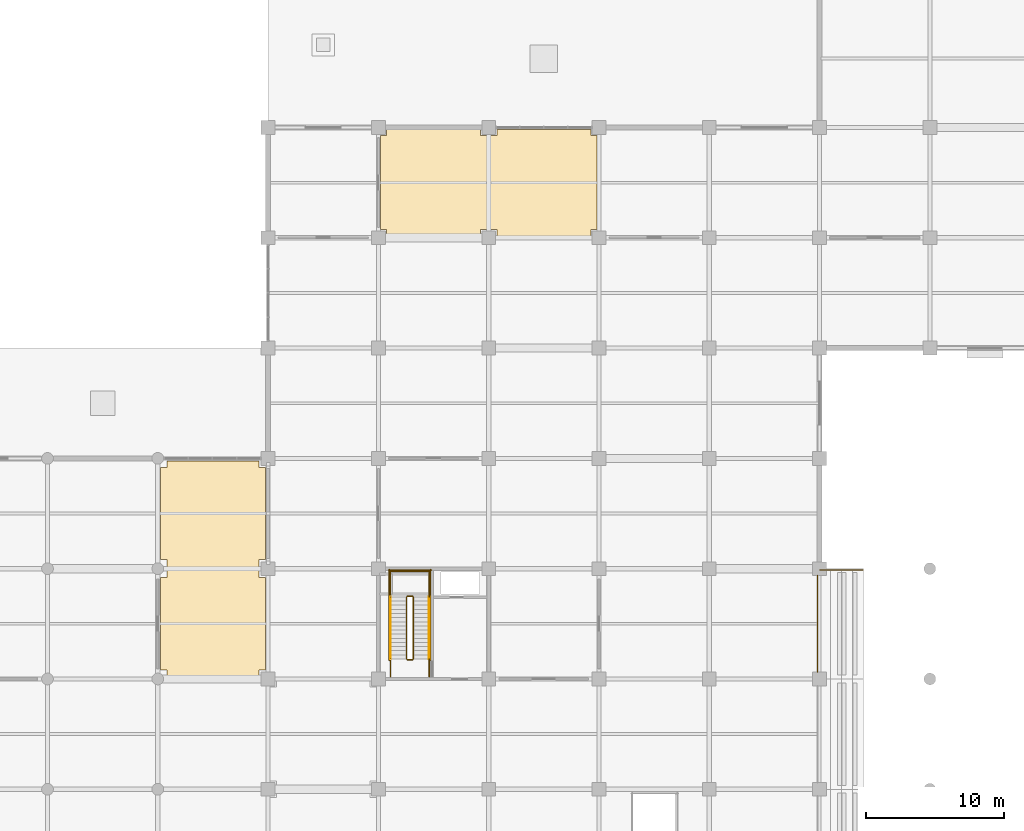
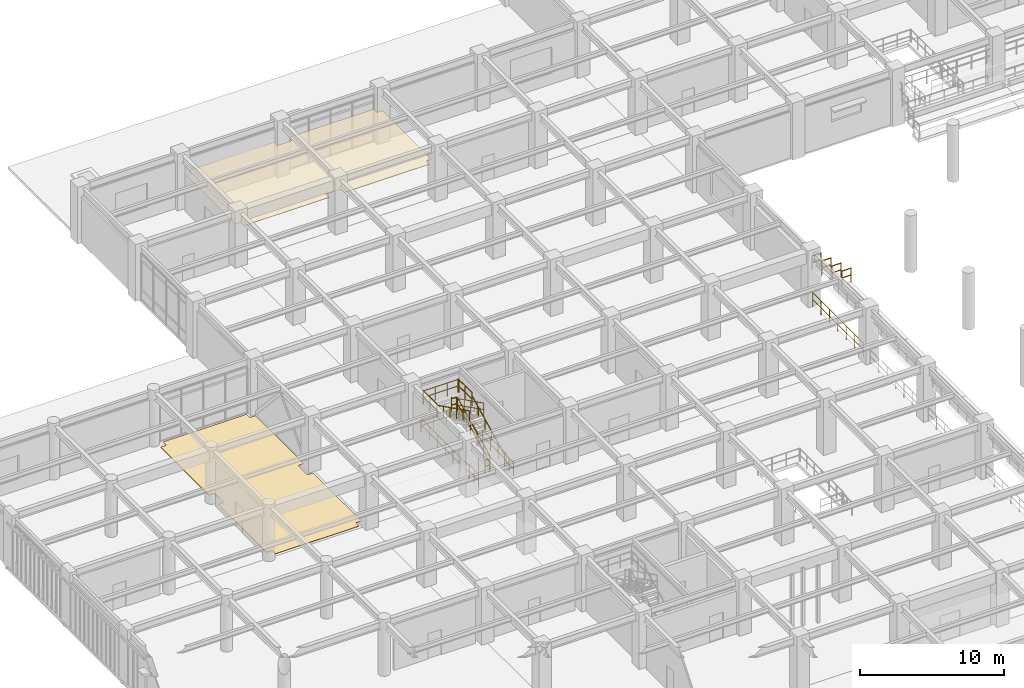
# One storey, part 114 of 117: 19 railings, 2 coverings.
"""IFC4 building model written with IfcOpenShell, lengths in metres."""

from ifc_helpers import new_model, si_unit, direction, frame, origin, origin_2d, place, context, subcontext, project, spatial, polyline, circle, outline, extrude, material, layer, layer_set, type_object, element, save


model = new_model("IFC4")

# Units and contexts
model_context = context("Model", 3, precision=1e-05, world=origin(), true_north=direction((0.0, 1.0)))
body_context = subcontext(model_context, "Body", "Model", "MODEL_VIEW")
ifc_project = project(units=[si_unit("LENGTHUNIT", "METRE"), si_unit("AREAUNIT", "SQUARE_METRE"), si_unit("VOLUMEUNIT", "CUBIC_METRE"), si_unit("PLANEANGLEUNIT", "RADIAN"), si_unit("MASSUNIT", "GRAM", prefix="KILO")], contexts=[model_context])

# Site, building, storey
site_placement = place(None, origin())
site = spatial("IfcSite", under=ifc_project, at=site_placement, CompositionType="ELEMENT")
building_placement = place(site_placement, origin())
building = spatial("IfcBuilding", under=site, at=building_placement, Name="Haebicheon Civic Stadium", CompositionType="ELEMENT")
storey_placement = place(building_placement, frame((0.0, 0.0, 4.800048828125)))
storey = spatial("IfcBuildingStorey", under=building, at=storey_placement, Name="L02", CompositionType="ELEMENT", Elevation=4.800048828125)

# Coverings
ifc_material_1 = material(Name="Perforated mineral-fibre acoustic board", Category="gypsum")
ifc_layer_1 = layer(ifc_material_1, 0.0400390625, Name="Perforated mineral-fibre acoustic board")
ifc_layer_set_1 = layer_set([ifc_layer_1], Name="Perforated mineral-fibre acoustic board")
covering_type_1 = type_object("IfcCoveringType", Name="COV-CLG-AC", PredefinedType="CEILING", material=ifc_layer_set_1)
covering_1_placement = place(storey_placement, frame((0.0, 0.0, 2.81005859375)))
element("IfcCovering", 1, at=covering_1_placement, inside=storey, type_object=covering_type_1, material=ifc_layer_set_1, Name="L02 First Aid Station acoustic ceiling", PredefinedType="CEILING", context=body_context, shape_type="SweptSolid", body=[
    extrude(outline(polyline([(32.14501953125, 167.405029296875), (32.594970703125, 167.405029296875), (32.594970703125, 167.85498046875), (39.405029296875, 167.85498046875), (39.405029296875, 167.405029296875), (40.594970703125, 167.405029296875), (40.594970703125, 167.85498046875), (47.405029296875, 167.85498046875), (47.405029296875, 167.405029296875), (47.85498046875, 167.405029296875), (47.85498046875, 160.594970703125), (47.405029296875, 160.594970703125), (47.405029296875, 160.14501953125), (40.594970703125, 160.14501953125), (40.594970703125, 160.594970703125), (39.405029296875, 160.594970703125), (39.405029296875, 160.14501953125), (32.594970703125, 160.14501953125), (32.594970703125, 160.594970703125), (32.14501953125, 160.594970703125), (32.14501953125, 167.405029296875)])), origin(), (0.0, 0.0, 1.0), 0.039794921875),
])
ifc_material_2 = material(Name="Quartz epoxy resin mortar", Category="concrete")
ifc_layer_2 = layer(ifc_material_2, 0.030029296875, Name="Quartz epoxy resin mortar")
ifc_layer_set_2 = layer_set([ifc_layer_2], Name="Quartz epoxy resin mortar")
covering_type_2 = type_object("IfcCoveringType", Name="COV-FLR-EPX", PredefinedType="FLOORING", material=ifc_layer_set_2)
covering_2_placement = place(storey_placement, origin())
element("IfcCovering", 2, at=covering_2_placement, inside=storey, type_object=covering_type_2, material=ifc_layer_set_2, Name="L02 Club Museum Archive Gallery non-slip floor finish", PredefinedType="FLOORING", context=body_context, shape_type="SweptSolid", body=[
    extrude(outline(polyline([(16.64990234375, 128.199951171875), (16.64990234375, 128.64990234375), (16.199951171875, 128.64990234375), (16.199951171875, 135.35009765625), (16.64990234375, 135.35009765625), (16.64990234375, 136.64990234375), (16.199951171875, 136.64990234375), (16.199951171875, 143.35009765625), (16.64990234375, 143.35009765625), (16.64990234375, 143.800048828125), (23.35009765625, 143.800048828125), (23.35009765625, 143.35009765625), (23.800048828125, 143.35009765625), (23.800048828125, 136.64990234375), (23.35009765625, 136.64990234375), (23.35009765625, 135.35009765625), (23.800048828125, 135.35009765625), (23.800048828125, 128.64990234375), (23.35009765625, 128.64990234375), (23.35009765625, 128.199951171875), (16.64990234375, 128.199951171875)])), origin(), (0.0, 0.0, 1.0), 0.030029296875),
])

# Railings
ifc_material_3 = material(Name="Stainless steel 316 and laminated glass", Category="steel")
railing_type_1 = type_object("IfcRailingType", Name="RL-BAL-1200", PredefinedType="BALUSTRADE", material=ifc_material_3)
railing_1_placement = place(storey_placement, frame((63.860107421875, 128.5, 0.0)))
element("IfcRailing", 3, at=railing_1_placement, inside=storey, type_object=railing_type_1, material=ifc_material_3, Name="L02 concourse bowl-edge balustrade 011", PredefinedType="BALUSTRADE", context=body_context, shape_type="SweptSolid", body=[
    extrude(circle(Radius=0.02392578125, at=origin_2d()), frame((0.0, 0.0, 1.17578125), z_axis=(0.0, 1.0, 0.0), x_axis=(-1.0, 0.0, 0.0)), (0.0, 0.0, 1.0), 7.0),
    extrude(circle(Radius=0.02392578125, at=origin_2d()), frame((0.0, 0.0, 0.60009765625), z_axis=(0.0, 1.0, 0.0), x_axis=(-1.0, 0.0, 0.0)), (0.0, 0.0, 1.0), 7.0),
    extrude(circle(Radius=0.02099609375, at=origin_2d()), origin(), (0.0, 0.0, 1.0), 1.15185546875),
    extrude(circle(Radius=0.02099609375, at=origin_2d()), frame((0.0, 1.166748046875, 0.0)), (0.0, 0.0, 1.0), 1.15185546875),
    extrude(circle(Radius=0.02099609375, at=origin_2d()), frame((0.0, 2.333251953125, 0.0)), (0.0, 0.0, 1.0), 1.15185546875),
    extrude(circle(Radius=0.02099609375, at=origin_2d()), frame((0.0, 3.5, 0.0)), (0.0, 0.0, 1.0), 1.15185546875),
    extrude(circle(Radius=0.02099609375, at=origin_2d()), frame((0.0, 4.666748046875, 0.0)), (0.0, 0.0, 1.0), 1.15185546875),
    extrude(circle(Radius=0.02099609375, at=origin_2d()), frame((0.0, 5.833251953125, 0.0)), (0.0, 0.0, 1.0), 1.15185546875),
    extrude(circle(Radius=0.02099609375, at=origin_2d()), frame((0.0, 7.0, 0.0)), (0.0, 0.0, 1.0), 1.15185546875),
])
railing_2_placement = place(storey_placement, frame((66.43994140625, 135.89990234375, 0.6669921875)))
element("IfcRailing", 4, at=railing_2_placement, inside=storey, type_object=railing_type_1, material=ifc_material_3, Name="TIER-W-L end-aisle side guard N.7", PredefinedType="BALUSTRADE", context=body_context, shape_type="SweptSolid", body=[
    extrude(circle(Radius=0.02392578125, at=origin_2d()), frame((0.0, 0.0, 1.17578125), z_axis=(1.0, 0.0, 0.0), x_axis=(0.0, 1.0, 0.0)), (0.0, 0.0, 1.0), 0.719970703125),
    extrude(circle(Radius=0.02392578125, at=origin_2d()), frame((0.0, 0.0, 0.60009765625), z_axis=(1.0, 0.0, 0.0), x_axis=(0.0, 1.0, 0.0)), (0.0, 0.0, 1.0), 0.719970703125),
    extrude(circle(Radius=0.02099609375, at=origin_2d()), origin(), (0.0, 0.0, 1.0), 1.15185546875),
    extrude(circle(Radius=0.02099609375, at=origin_2d()), frame((0.719970703125, 0.0, 0.0)), (0.0, 0.0, 1.0), 1.15185546875),
])
railing_3_placement = place(storey_placement, frame((65.639892578125, 135.89990234375, 1.3779296875)))
element("IfcRailing", 5, at=railing_3_placement, inside=storey, type_object=railing_type_1, material=ifc_material_3, Name="TIER-W-L end-aisle side guard N.8", PredefinedType="BALUSTRADE", context=body_context, shape_type="SweptSolid", body=[
    extrude(circle(Radius=0.02392578125, at=origin_2d()), frame((0.0, 0.0, 1.17578125), z_axis=(1.0, 0.0, 0.0), x_axis=(0.0, 1.0, 0.0)), (0.0, 0.0, 1.0), 0.72021484375),
    extrude(circle(Radius=0.02392578125, at=origin_2d()), frame((0.0, 0.0, 0.60009765625), z_axis=(1.0, 0.0, 0.0), x_axis=(0.0, 1.0, 0.0)), (0.0, 0.0, 1.0), 0.72021484375),
    extrude(circle(Radius=0.02099609375, at=origin_2d()), origin(), (0.0, 0.0, 1.0), 1.15185546875),
    extrude(circle(Radius=0.02099609375, at=origin_2d()), frame((0.72021484375, 0.0, 0.0)), (0.0, 0.0, 1.0), 1.15185546875),
])
for number, where, name in (
    (6, (64.840087890625, 135.89990234375, 2.0888671875), "TIER-W-L end-aisle side guard N.9"),
    (7, (64.0400390625, 135.89990234375, 2.800048828125), "TIER-W-L end-aisle side guard N.10"),
):
    element("IfcRailing", number, at=place(storey_placement, frame(where)), inside=storey, type_object=railing_type_1, material=ifc_material_3, Name=name, PredefinedType="BALUSTRADE", context=body_context, shape_type="SweptSolid", body=[
        extrude(circle(Radius=0.02392578125, at=origin_2d()), frame((0.0, 0.0, 1.17578125), z_axis=(1.0, 0.0, 0.0), x_axis=(0.0, 1.0, 0.0)), (0.0, 0.0, 1.0), 0.719970703125),
        extrude(circle(Radius=0.02392578125, at=origin_2d()), frame((0.0, 0.0, 0.60009765625), z_axis=(1.0, 0.0, 0.0), x_axis=(0.0, 1.0, 0.0)), (0.0, 0.0, 1.0), 0.719970703125),
        extrude(circle(Radius=0.02099609375, at=origin_2d()), origin(), (0.0, 0.0, 1.0), 1.15185546875),
        extrude(circle(Radius=0.02099609375, at=origin_2d()), frame((0.719970703125, 0.0, 0.0)), (0.0, 0.0, 1.0), 1.15185546875),
    ])
ifc_material_4 = material(Name="Galvanised painted steel SM355", Category="steel")
railing_type_2 = type_object("IfcRailingType", Name="RL-GRD-1150", PredefinedType="GUARDRAIL", material=ifc_material_4)
railing_4_placement = place(storey_placement, frame((34.530029296875, 129.449951171875, 0.14990234375)))
element("IfcRailing", 8, at=railing_4_placement, inside=storey, type_object=railing_type_2, material=ifc_material_4, Name="L02 ST-05 stair guard 1", PredefinedType="GUARDRAIL", context=body_context, shape_type="SweptSolid", body=[
    extrude(circle(Radius=0.02392578125, at=origin_2d()), frame((0.0, 0.0, 1.1259765625), z_axis=(0.0, 0.894427191, 0.4472135955), x_axis=(-1.0, 0.0, 0.0)), (0.0, 0.0, 1.0), 5.03125),
    extrude(circle(Radius=0.02392578125, at=origin_2d()), frame((0.0, 0.0, 0.574951171875), z_axis=(0.0, 0.894427191, 0.4472135955), x_axis=(-1.0, 0.0, 0.0)), (0.0, 0.0, 1.0), 5.03125),
    extrude(circle(Radius=0.02099609375, at=origin_2d()), origin(), (0.0, 0.0, 1.0), 1.101806640625),
    extrude(circle(Radius=0.02099609375, at=origin_2d()), frame((0.0, 0.89990234375, 0.449951171875)), (0.0, 0.0, 1.0), 1.101806640625),
    extrude(circle(Radius=0.02099609375, at=origin_2d()), frame((0.0, 1.800048828125, 0.89990234375)), (0.0, 0.0, 1.0), 1.101806640625),
    extrude(circle(Radius=0.02099609375, at=origin_2d()), frame((0.0, 2.699951171875, 1.35009765625)), (0.0, 0.0, 1.0), 1.101806640625),
    extrude(circle(Radius=0.02099609375, at=origin_2d()), frame((0.0, 3.60009765625, 1.800048828125)), (0.0, 0.0, 1.0), 1.101806640625),
    extrude(circle(Radius=0.02099609375, at=origin_2d()), frame((0.0, 4.5, 2.25)), (0.0, 0.0, 1.0), 1.101806640625),
])
railing_5_placement = place(storey_placement, frame((34.47998046875, 134.0, 2.39990234375)))
element("IfcRailing", 9, at=railing_5_placement, inside=storey, type_object=railing_type_2, material=ifc_material_4, Name="L02 ST-05 stair guard 2", PredefinedType="GUARDRAIL", context=body_context, shape_type="SweptSolid", body=[
    extrude(circle(Radius=0.02392578125, at=origin_2d()), frame((0.0, 0.0, 1.1259765625), z_axis=(-1.0, 0.0, 0.0), x_axis=(0.0, -1.0, 0.0)), (0.0, 0.0, 1.0), 0.3798828125),
    extrude(circle(Radius=0.02392578125, at=origin_2d()), frame((0.0, 0.0, 0.574951171875), z_axis=(-1.0, 0.0, 0.0), x_axis=(0.0, -1.0, 0.0)), (0.0, 0.0, 1.0), 0.3798828125),
    extrude(circle(Radius=0.02099609375, at=origin_2d()), origin(), (0.0, 0.0, 1.0), 1.101806640625),
    extrude(circle(Radius=0.02099609375, at=origin_2d()), frame((-0.3798828125, 0.0, 0.0)), (0.0, 0.0, 1.0), 1.101806640625),
])
for number, where, name in (
    (10, (35.68994140625, 133.949951171875, 2.39990234375), "L02 ST-05 stair guard 3"),
    (11, (32.889892578125, 133.949951171875, 2.39990234375), "L02 ST-05 stair guard 4"),
):
    element("IfcRailing", number, at=place(storey_placement, frame(where)), inside=storey, type_object=railing_type_2, material=ifc_material_4, Name=name, PredefinedType="GUARDRAIL", context=body_context, shape_type="SweptSolid", body=[
        extrude(circle(Radius=0.02392578125, at=origin_2d()), frame((0.0, 0.0, 1.1259765625), z_axis=(0.0, 1.0, 0.0), x_axis=(-1.0, 0.0, 0.0)), (0.0, 0.0, 1.0), 1.89013671875),
        extrude(circle(Radius=0.02392578125, at=origin_2d()), frame((0.0, 0.0, 0.574951171875), z_axis=(0.0, 1.0, 0.0), x_axis=(-1.0, 0.0, 0.0)), (0.0, 0.0, 1.0), 1.89013671875),
        extrude(circle(Radius=0.02099609375, at=origin_2d()), origin(), (0.0, 0.0, 1.0), 1.101806640625),
        extrude(circle(Radius=0.02099609375, at=origin_2d()), frame((0.0, 0.945068359375, 0.0)), (0.0, 0.0, 1.0), 1.101806640625),
        extrude(circle(Radius=0.02099609375, at=origin_2d()), frame((0.0, 1.89013671875, 0.0)), (0.0, 0.0, 1.0), 1.101806640625),
    ])
railing_6_placement = place(storey_placement, frame((35.739990234375, 135.7900390625, 2.39990234375)))
element("IfcRailing", 12, at=railing_6_placement, inside=storey, type_object=railing_type_2, material=ifc_material_4, Name="L02 ST-05 stair guard 5", PredefinedType="GUARDRAIL", context=body_context, shape_type="SweptSolid", body=[
    extrude(circle(Radius=0.02392578125, at=origin_2d()), frame((0.0, 0.0, 1.1259765625), z_axis=(-1.0, 0.0, 0.0), x_axis=(0.0, -1.0, 0.0)), (0.0, 0.0, 1.0), 2.89990234375),
    extrude(circle(Radius=0.02392578125, at=origin_2d()), frame((0.0, 0.0, 0.574951171875), z_axis=(-1.0, 0.0, 0.0), x_axis=(0.0, -1.0, 0.0)), (0.0, 0.0, 1.0), 2.89990234375),
    extrude(circle(Radius=0.02099609375, at=origin_2d()), origin(), (0.0, 0.0, 1.0), 1.101806640625),
    extrude(circle(Radius=0.02099609375, at=origin_2d()), frame((-0.966552734375, 0.0, 0.0)), (0.0, 0.0, 1.0), 1.101806640625),
    extrude(circle(Radius=0.02099609375, at=origin_2d()), frame((-1.933349609375, 0.0, 0.0)), (0.0, 0.0, 1.0), 1.101806640625),
    extrude(circle(Radius=0.02099609375, at=origin_2d()), frame((-2.89990234375, 0.0, 0.0)), (0.0, 0.0, 1.0), 1.101806640625),
])
railing_7_placement = place(storey_placement, frame((34.050048828125, 133.949951171875, 2.550048828125)))
element("IfcRailing", 13, at=railing_7_placement, inside=storey, type_object=railing_type_2, material=ifc_material_4, Name="L02 ST-05 stair guard 6", PredefinedType="GUARDRAIL", context=body_context, shape_type="SweptSolid", body=[
    extrude(circle(Radius=0.02392578125, at=origin_2d()), frame((0.0, 0.0, 1.1259765625), z_axis=(0.0, -0.894427191, 0.4472135955), x_axis=(1.0, 0.0, 0.0)), (0.0, 0.0, 1.0), 5.03125),
    extrude(circle(Radius=0.02392578125, at=origin_2d()), frame((0.0, 0.0, 0.574951171875), z_axis=(0.0, -0.894427191, 0.4472135955), x_axis=(1.0, 0.0, 0.0)), (0.0, 0.0, 1.0), 5.03125),
    extrude(circle(Radius=0.02099609375, at=origin_2d()), origin(), (0.0, 0.0, 1.0), 1.101806640625),
    extrude(circle(Radius=0.02099609375, at=origin_2d()), frame((0.0, -0.89990234375, 0.449951171875)), (0.0, 0.0, 1.0), 1.101806640625),
    extrude(circle(Radius=0.02099609375, at=origin_2d()), frame((0.0, -1.800048828125, 0.89990234375)), (0.0, 0.0, 1.0), 1.101806640625),
    extrude(circle(Radius=0.02099609375, at=origin_2d()), frame((0.0, -2.699951171875, 1.35009765625)), (0.0, 0.0, 1.0), 1.101806640625),
    extrude(circle(Radius=0.02099609375, at=origin_2d()), frame((0.0, -3.60009765625, 1.800048828125)), (0.0, 0.0, 1.0), 1.101806640625),
    extrude(circle(Radius=0.02099609375, at=origin_2d()), frame((0.0, -4.5, 2.25)), (0.0, 0.0, 1.0), 1.101806640625),
])
railing_8_placement = place(storey_placement, frame((34.47998046875, 129.39990234375, 0.0)))
element("IfcRailing", 14, at=railing_8_placement, inside=storey, type_object=railing_type_2, material=ifc_material_4, Name="L02 ST-05 stair guard 7", PredefinedType="GUARDRAIL", context=body_context, shape_type="SweptSolid", body=[
    extrude(circle(Radius=0.02392578125, at=origin_2d()), frame((0.0, 0.0, 1.1259765625), z_axis=(-1.0, 0.0, 0.0), x_axis=(0.0, -1.0, 0.0)), (0.0, 0.0, 1.0), 0.3798828125),
    extrude(circle(Radius=0.02392578125, at=origin_2d()), frame((0.0, 0.0, 0.574951171875), z_axis=(-1.0, 0.0, 0.0), x_axis=(0.0, -1.0, 0.0)), (0.0, 0.0, 1.0), 0.3798828125),
    extrude(circle(Radius=0.02099609375, at=origin_2d()), origin(), (0.0, 0.0, 1.0), 1.101806640625),
    extrude(circle(Radius=0.02099609375, at=origin_2d()), frame((-0.3798828125, 0.0, 0.0)), (0.0, 0.0, 1.0), 1.101806640625),
])
for number, where, name in (
    (15, (35.68994140625, 128.159912109375, 0.0), "L02 ST-05 stair guard 8"),
    (16, (32.889892578125, 128.159912109375, 0.0), "L02 ST-05 stair guard 9"),
):
    element("IfcRailing", number, at=place(storey_placement, frame(where)), inside=storey, type_object=railing_type_2, material=ifc_material_4, Name=name, PredefinedType="GUARDRAIL", context=body_context, shape_type="SweptSolid", body=[
        extrude(circle(Radius=0.02392578125, at=origin_2d()), frame((0.0, 0.0, 1.1259765625), z_axis=(0.0, 1.0, 0.0), x_axis=(-1.0, 0.0, 0.0)), (0.0, 0.0, 1.0), 1.2900390625),
        extrude(circle(Radius=0.02392578125, at=origin_2d()), frame((0.0, 0.0, 0.574951171875), z_axis=(0.0, 1.0, 0.0), x_axis=(-1.0, 0.0, 0.0)), (0.0, 0.0, 1.0), 1.2900390625),
        extrude(circle(Radius=0.02099609375, at=origin_2d()), origin(), (0.0, 0.0, 1.0), 1.101806640625),
        extrude(circle(Radius=0.02099609375, at=origin_2d()), frame((0.0, 0.64501953125, 0.0)), (0.0, 0.0, 1.0), 1.101806640625),
        extrude(circle(Radius=0.02099609375, at=origin_2d()), frame((0.0, 1.2900390625, 0.0)), (0.0, 0.0, 1.0), 1.101806640625),
    ])
for number, where, name in (
    (17, (35.7900390625, 129.35009765625, 0.0), "L02 ST-05 stair guard 10"),
    (18, (32.7900390625, 129.35009765625, 0.0), "L02 ST-05 stair guard 11"),
):
    element("IfcRailing", number, at=place(storey_placement, frame(where)), inside=storey, type_object=railing_type_2, material=ifc_material_4, Name=name, PredefinedType="GUARDRAIL", context=body_context, shape_type="SweptSolid", body=[
        extrude(circle(Radius=0.02392578125, at=origin_2d()), frame((0.0, 0.0, 1.1259765625), z_axis=(0.0, 1.0, 0.0), x_axis=(-1.0, 0.0, 0.0)), (0.0, 0.0, 1.0), 6.58984375),
        extrude(circle(Radius=0.02392578125, at=origin_2d()), frame((0.0, 0.0, 0.574951171875), z_axis=(0.0, 1.0, 0.0), x_axis=(-1.0, 0.0, 0.0)), (0.0, 0.0, 1.0), 6.58984375),
        extrude(circle(Radius=0.02099609375, at=origin_2d()), origin(), (0.0, 0.0, 1.0), 1.101806640625),
        extrude(circle(Radius=0.02099609375, at=origin_2d()), frame((0.0, 1.098388671875, 0.0)), (0.0, 0.0, 1.0), 1.101806640625),
        extrude(circle(Radius=0.02099609375, at=origin_2d()), frame((0.0, 2.196533203125, 0.0)), (0.0, 0.0, 1.0), 1.101806640625),
        extrude(circle(Radius=0.02099609375, at=origin_2d()), frame((0.0, 3.294921875, 0.0)), (0.0, 0.0, 1.0), 1.101806640625),
        extrude(circle(Radius=0.02099609375, at=origin_2d()), frame((0.0, 4.393310546875, 0.0)), (0.0, 0.0, 1.0), 1.101806640625),
        extrude(circle(Radius=0.02099609375, at=origin_2d()), frame((0.0, 5.491455078125, 0.0)), (0.0, 0.0, 1.0), 1.101806640625),
        extrude(circle(Radius=0.02099609375, at=origin_2d()), frame((0.0, 6.58984375, 0.0)), (0.0, 0.0, 1.0), 1.101806640625),
    ])
railing_9_placement = place(storey_placement, frame((35.840087890625, 135.889892578125, 0.0)))
element("IfcRailing", 19, at=railing_9_placement, inside=storey, type_object=railing_type_2, material=ifc_material_4, Name="L02 ST-05 stair guard 12", PredefinedType="GUARDRAIL", context=body_context, shape_type="SweptSolid", body=[
    extrude(circle(Radius=0.02392578125, at=origin_2d()), frame((0.0, 0.0, 1.1259765625), z_axis=(-1.0, 0.0, 0.0), x_axis=(0.0, -1.0, 0.0)), (0.0, 0.0, 1.0), 3.10009765625),
    extrude(circle(Radius=0.02392578125, at=origin_2d()), frame((0.0, 0.0, 0.574951171875), z_axis=(-1.0, 0.0, 0.0), x_axis=(0.0, -1.0, 0.0)), (0.0, 0.0, 1.0), 3.10009765625),
    extrude(circle(Radius=0.02099609375, at=origin_2d()), origin(), (0.0, 0.0, 1.0), 1.101806640625),
    extrude(circle(Radius=0.02099609375, at=origin_2d()), frame((-1.033447265625, 0.0, 0.0)), (0.0, 0.0, 1.0), 1.101806640625),
    extrude(circle(Radius=0.02099609375, at=origin_2d()), frame((-2.066650390625, 0.0, 0.0)), (0.0, 0.0, 1.0), 1.101806640625),
    extrude(circle(Radius=0.02099609375, at=origin_2d()), frame((-3.10009765625, 0.0, 0.0)), (0.0, 0.0, 1.0), 1.101806640625),
])
ifc_material_5 = material(Name="Stainless steel 316", Category="steel")
railing_type_3 = type_object("IfcRailingType", Name="RL-HND-900", PredefinedType="HANDRAIL", material=ifc_material_5)
railing_10_placement = place(storey_placement, frame((35.68994140625, 129.449951171875, 0.14990234375)))
element("IfcRailing", 20, at=railing_10_placement, inside=storey, type_object=railing_type_3, material=ifc_material_5, Name="L02 ST-05 stair handrail 1", PredefinedType="HANDRAIL", context=body_context, shape_type="SweptSolid", body=[
    extrude(circle(Radius=0.02392578125, at=origin_2d()), frame((0.0, 0.0, 0.8759765625), z_axis=(0.0, 0.894427191, 0.4472135955), x_axis=(-1.0, 0.0, 0.0)), (0.0, 0.0, 1.0), 5.03125),
    extrude(circle(Radius=0.02099609375, at=origin_2d()), origin(), (0.0, 0.0, 1.0), 0.851806640625),
    extrude(circle(Radius=0.02099609375, at=origin_2d()), frame((0.0, 0.89990234375, 0.449951171875)), (0.0, 0.0, 1.0), 0.851806640625),
    extrude(circle(Radius=0.02099609375, at=origin_2d()), frame((0.0, 1.800048828125, 0.89990234375)), (0.0, 0.0, 1.0), 0.851806640625),
    extrude(circle(Radius=0.02099609375, at=origin_2d()), frame((0.0, 2.699951171875, 1.35009765625)), (0.0, 0.0, 1.0), 0.851806640625),
    extrude(circle(Radius=0.02099609375, at=origin_2d()), frame((0.0, 3.60009765625, 1.800048828125)), (0.0, 0.0, 1.0), 0.851806640625),
    extrude(circle(Radius=0.02099609375, at=origin_2d()), frame((0.0, 4.5, 2.25)), (0.0, 0.0, 1.0), 0.851806640625),
])
railing_11_placement = place(storey_placement, frame((32.889892578125, 133.949951171875, 2.550048828125)))
element("IfcRailing", 21, at=railing_11_placement, inside=storey, type_object=railing_type_3, material=ifc_material_5, Name="L02 ST-05 stair handrail 2", PredefinedType="HANDRAIL", context=body_context, shape_type="SweptSolid", body=[
    extrude(circle(Radius=0.02392578125, at=origin_2d()), frame((0.0, 0.0, 0.8759765625), z_axis=(0.0, -0.894427191, 0.4472135955), x_axis=(1.0, 0.0, 0.0)), (0.0, 0.0, 1.0), 5.03125),
    extrude(circle(Radius=0.02099609375, at=origin_2d()), origin(), (0.0, 0.0, 1.0), 0.851806640625),
    extrude(circle(Radius=0.02099609375, at=origin_2d()), frame((0.0, -0.89990234375, 0.449951171875)), (0.0, 0.0, 1.0), 0.851806640625),
    extrude(circle(Radius=0.02099609375, at=origin_2d()), frame((0.0, -1.800048828125, 0.89990234375)), (0.0, 0.0, 1.0), 0.851806640625),
    extrude(circle(Radius=0.02099609375, at=origin_2d()), frame((0.0, -2.699951171875, 1.35009765625)), (0.0, 0.0, 1.0), 0.851806640625),
    extrude(circle(Radius=0.02099609375, at=origin_2d()), frame((0.0, -3.60009765625, 1.800048828125)), (0.0, 0.0, 1.0), 0.851806640625),
    extrude(circle(Radius=0.02099609375, at=origin_2d()), frame((0.0, -4.5, 2.25)), (0.0, 0.0, 1.0), 0.851806640625),
])

save(model, "model.ifc")
